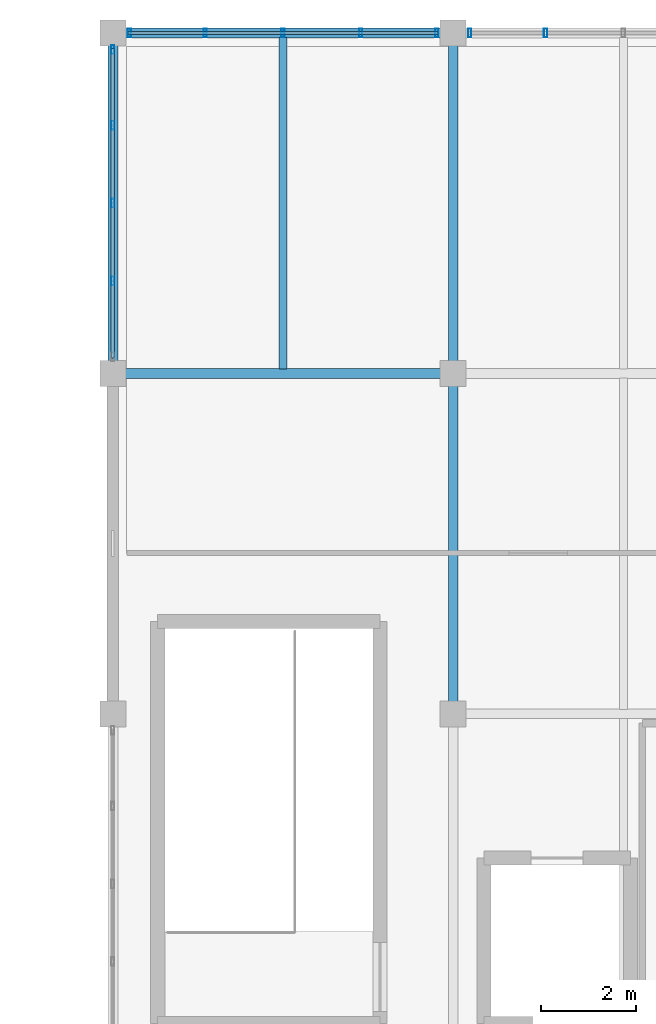
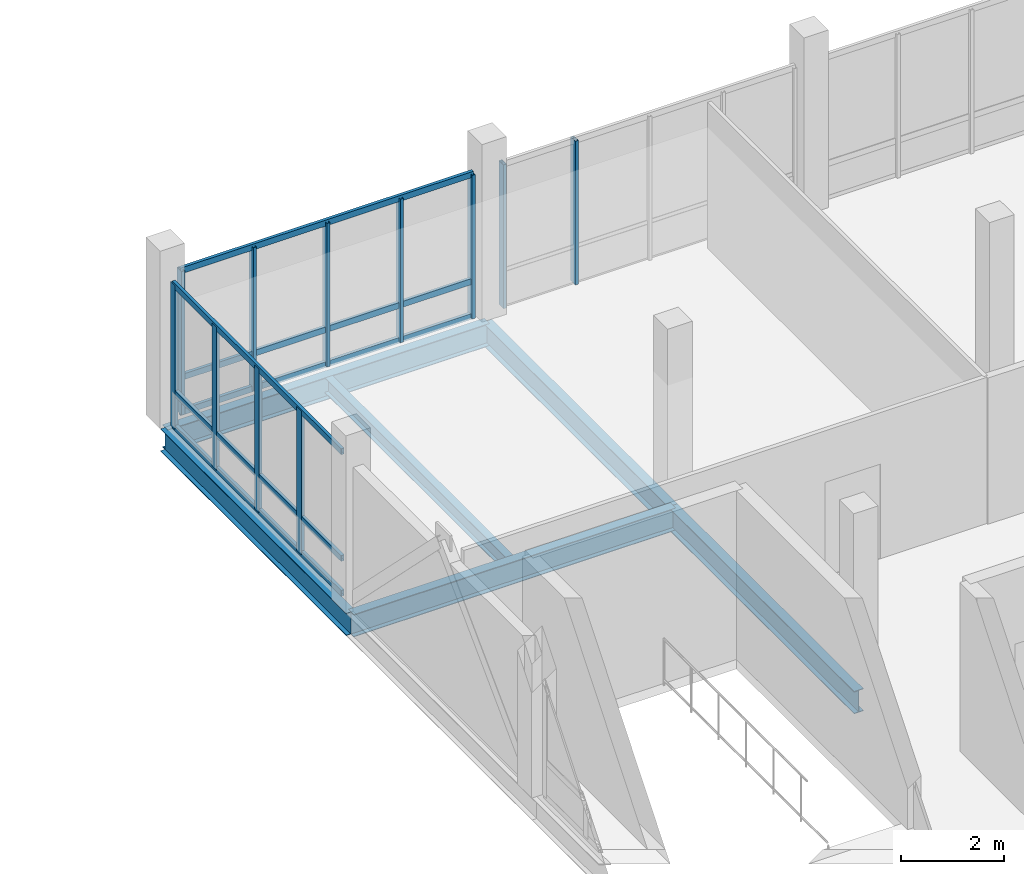
# One storey, part 9 of 28: 17 members, 6 beams, 3 elements without a shape of their own.
"""IFC4 building model written with IfcOpenShell, lengths in metres."""

from ifc_helpers import new_model, si_unit, direction, frame, origin, origin_2d, place, context, subcontext, project, spatial, hollow_rectangle, i_section, extrude, material, material_profile, profile_set, type_object, element, aggregate, save


model = new_model("IFC4")

# Units and contexts
model_context = context("Model", 3, precision=1e-05, world=origin(), true_north=direction((0.0, 1.0)))
body_context = subcontext(model_context, "Body", "Model", "MODEL_VIEW")
ifc_project = project(units=[si_unit("LENGTHUNIT", "METRE"), si_unit("AREAUNIT", "SQUARE_METRE"), si_unit("VOLUMEUNIT", "CUBIC_METRE"), si_unit("PLANEANGLEUNIT", "RADIAN"), si_unit("MASSUNIT", "GRAM", prefix="KILO")], contexts=[model_context])

# Site, building, storey
site_placement = place(None, origin())
site = spatial("IfcSite", under=ifc_project, at=site_placement, CompositionType="ELEMENT")
building_placement = place(site_placement, origin())
building = spatial("IfcBuilding", under=site, at=building_placement, Name="Yarey Park Central Fire Station", CompositionType="ELEMENT")
storey_placement = place(building_placement, frame((0.0, 0.0, 22.199951171875)))
storey = spatial("IfcBuildingStorey", under=building, at=storey_placement, Name="L06", CompositionType="ELEMENT", Elevation=22.199951171875)

# Curtain wall, members
ifc_material_1 = material(Name="Anodized Aluminium Frame", Category="aluminium")
curtain_wall_type = type_object("IfcCurtainWallType", Name="ENV_CW_HQ_L06", PredefinedType="NOTDEFINED", material=ifc_material_1)
curtain_wall_1_placement = place(storey_placement, origin())
curtain_wall_1 = element("IfcCurtainWall", 1, at=curtain_wall_1_placement, inside=storey, type_object=curtain_wall_type, Name="CW_L06_V4_N_1", PredefinedType="NOTDEFINED")
ifc_material_profile_1 = material_profile(ifc_material_1, hollow_rectangle(XDim=0.070068359375, YDim=0.179931640625, WallThickness=0.00390625, at=origin_2d()), Name="ALU 180x70x4")
ifc_profile_set_1 = profile_set([ifc_material_profile_1], Name="Anodized Aluminium Frame")
member_type_1 = type_object("IfcMemberType", Name="ENV_CW_MULLION", PredefinedType="MULLION", material=ifc_profile_set_1)
member_1_placement = place(storey_placement, frame((122.050048828125, 115.199951171875, 0.0), z_axis=(0.0, 0.0, 1.0), x_axis=(1.0, 0.0, 0.0)))
member_1 = element("IfcMember", 2, at=member_1_placement, type_object=member_type_1, Name="CW_L06_V4_N_1_MUL1", PredefinedType="MULLION", context=body_context, shape_type="SweptSolid", body=[
    extrude(hollow_rectangle(XDim=0.070068359375, YDim=0.179931640625, WallThickness=0.00390625, at=origin_2d()), origin(), (0.0, 0.0, 1.0), 3.400146484375),
])
member_2_placement = place(storey_placement, frame((120.445068359375, 115.199951171875, 0.0), z_axis=(0.0, 0.0, 1.0), x_axis=(1.0, 0.0, 0.0)))
member_2 = element("IfcMember", 3, at=member_2_placement, type_object=member_type_1, Name="CW_L06_V4_N_1_MUL2", PredefinedType="MULLION", context=body_context, shape_type="SweptSolid", body=[
    extrude(hollow_rectangle(XDim=0.070068359375, YDim=0.179931640625, WallThickness=0.00390625, at=origin_2d()), origin(), (0.0, 0.0, 1.0), 3.400146484375),
])
member_3_placement = place(storey_placement, frame((118.800048828125, 115.199951171875, 0.0), z_axis=(0.0, 0.0, 1.0), x_axis=(1.0, 0.0, 0.0)))
member_3 = element("IfcMember", 4, at=member_3_placement, type_object=member_type_1, Name="CW_L06_V4_N_1_MUL3", PredefinedType="MULLION", context=body_context, shape_type="SweptSolid", body=[
    extrude(hollow_rectangle(XDim=0.070068359375, YDim=0.179931640625, WallThickness=0.00390625, at=origin_2d()), origin(), (0.0, 0.0, 1.0), 3.400146484375),
])
member_4_placement = place(storey_placement, frame((117.155029296875, 115.199951171875, 0.0), z_axis=(0.0, 0.0, 1.0), x_axis=(1.0, 0.0, 0.0)))
member_4 = element("IfcMember", 5, at=member_4_placement, type_object=member_type_1, Name="CW_L06_V4_N_1_MUL4", PredefinedType="MULLION", context=body_context, shape_type="SweptSolid", body=[
    extrude(hollow_rectangle(XDim=0.070068359375, YDim=0.179931640625, WallThickness=0.00390625, at=origin_2d()), origin(), (0.0, 0.0, 1.0), 3.400146484375),
])
member_5_placement = place(storey_placement, frame((115.550048828125, 115.199951171875, 0.0), z_axis=(0.0, 0.0, 1.0), x_axis=(1.0, 0.0, 0.0)))
member_5 = element("IfcMember", 6, at=member_5_placement, type_object=member_type_1, Name="CW_L06_V4_N_1_MUL5", PredefinedType="MULLION", context=body_context, shape_type="SweptSolid", body=[
    extrude(hollow_rectangle(XDim=0.070068359375, YDim=0.179931640625, WallThickness=0.00390625, at=origin_2d()), origin(), (0.0, 0.0, 1.0), 3.400146484375),
])

curtain_wall_2_placement = place(storey_placement, origin())
curtain_wall_2 = element("IfcCurtainWall", 7, at=curtain_wall_2_placement, inside=storey, type_object=curtain_wall_type, Name="CW_L06_V4_N_2", PredefinedType="NOTDEFINED")
member_6_placement = place(storey_placement, frame((124.35498046875, 115.199951171875, 0.0), z_axis=(0.0, 0.0, 1.0), x_axis=(1.0, 0.0, 0.0)))
member_6 = element("IfcMember", 8, at=member_6_placement, type_object=member_type_1, Name="CW_L06_V4_N_2_MUL4", PredefinedType="MULLION", context=body_context, shape_type="SweptSolid", body=[
    extrude(hollow_rectangle(XDim=0.070068359375, YDim=0.179931640625, WallThickness=0.00390625, at=origin_2d()), origin(), (0.0, 0.0, 1.0), 3.400146484375),
])
member_7_placement = place(storey_placement, frame((122.75, 115.199951171875, 0.0), z_axis=(0.0, 0.0, 1.0), x_axis=(1.0, 0.0, 0.0)))
member_7 = element("IfcMember", 9, at=member_7_placement, type_object=member_type_1, Name="CW_L06_V4_N_2_MUL5", PredefinedType="MULLION", context=body_context, shape_type="SweptSolid", body=[
    extrude(hollow_rectangle(XDim=0.070068359375, YDim=0.179931640625, WallThickness=0.00390625, at=origin_2d()), origin(), (0.0, 0.0, 1.0), 3.400146484375),
])
aggregate(curtain_wall_2, [member_6, member_7])

curtain_wall_3_placement = place(storey_placement, origin())
curtain_wall_3 = element("IfcCurtainWall", 10, at=curtain_wall_3_placement, inside=storey, type_object=curtain_wall_type, Name="CW_L06_V4_W_108", PredefinedType="NOTDEFINED")
member_8_placement = place(storey_placement, frame((115.199951171875, 114.85009765625, 0.0), z_axis=(0.0, 0.0, 1.0), x_axis=(1.0, 0.0, 0.0)))
member_8 = element("IfcMember", 11, at=member_8_placement, type_object=member_type_1, Name="CW_L06_V4_W_108_MUL1", PredefinedType="MULLION", context=body_context, shape_type="SweptSolid", body=[
    extrude(hollow_rectangle(XDim=0.070068359375, YDim=0.179931640625, WallThickness=0.00390625, at=origin_2d()), origin(), (0.0, 0.0, 1.0), 3.400146484375),
])
member_9_placement = place(storey_placement, frame((115.199951171875, 113.2451171875, 0.0), z_axis=(0.0, 0.0, 1.0), x_axis=(1.0, 0.0, 0.0)))
member_9 = element("IfcMember", 12, at=member_9_placement, type_object=member_type_1, Name="CW_L06_V4_W_108_MUL2", PredefinedType="MULLION", context=body_context, shape_type="SweptSolid", body=[
    extrude(hollow_rectangle(XDim=0.070068359375, YDim=0.179931640625, WallThickness=0.00390625, at=origin_2d()), origin(), (0.0, 0.0, 1.0), 3.400146484375),
])
member_10_placement = place(storey_placement, frame((115.199951171875, 111.60009765625, 0.0), z_axis=(0.0, 0.0, 1.0), x_axis=(1.0, 0.0, 0.0)))
member_10 = element("IfcMember", 13, at=member_10_placement, type_object=member_type_1, Name="CW_L06_V4_W_108_MUL3", PredefinedType="MULLION", context=body_context, shape_type="SweptSolid", body=[
    extrude(hollow_rectangle(XDim=0.070068359375, YDim=0.179931640625, WallThickness=0.00390625, at=origin_2d()), origin(), (0.0, 0.0, 1.0), 3.400146484375),
])
member_11_placement = place(storey_placement, frame((115.199951171875, 109.955078125, 0.0), z_axis=(0.0, 0.0, 1.0), x_axis=(1.0, 0.0, 0.0)))
member_11 = element("IfcMember", 14, at=member_11_placement, type_object=member_type_1, Name="CW_L06_V4_W_108_MUL4", PredefinedType="MULLION", context=body_context, shape_type="SweptSolid", body=[
    extrude(hollow_rectangle(XDim=0.070068359375, YDim=0.179931640625, WallThickness=0.00390625, at=origin_2d()), origin(), (0.0, 0.0, 1.0), 3.400146484375),
])

# Member
ifc_material_profile_2 = material_profile(ifc_material_1, hollow_rectangle(XDim=0.070068359375, YDim=0.139892578125, WallThickness=0.00390625, at=origin_2d()), Name="ALU 140x70x4")
ifc_profile_set_2 = profile_set([ifc_material_profile_2], Name="Anodized Aluminium Frame")
member_type_2 = type_object("IfcMemberType", Name="ENV_CW_TRANSOM", PredefinedType="USERDEFINED", material=ifc_profile_set_2)
member_12_placement = place(storey_placement, frame((122.074951171875, 115.199951171875, 0.025146484375), z_axis=(-1.0, 0.0, 0.0), x_axis=(0.0, -1.0, 0.0)))
member_12 = element("IfcMember", 15, at=member_12_placement, type_object=member_type_2, Name="CW_L06_V4_N_1_TRN1", ObjectType="TRANSOM", PredefinedType="USERDEFINED", context=body_context, shape_type="SweptSolid", body=[
    extrude(hollow_rectangle(XDim=0.070068359375, YDim=0.139892578125, WallThickness=0.00390625, at=origin_2d()), origin(), (0.0, 0.0, 1.0), 6.550048828125),
])

member_13_placement = place(storey_placement, frame((122.074951171875, 115.199951171875, 0.85009765625), z_axis=(-1.0, 0.0, 0.0), x_axis=(0.0, -1.0, 0.0)))
member_13 = element("IfcMember", 16, at=member_13_placement, type_object=member_type_2, Name="CW_L06_V4_N_1_TRN2", ObjectType="TRANSOM", PredefinedType="USERDEFINED", context=body_context, shape_type="SweptSolid", body=[
    extrude(hollow_rectangle(XDim=0.070068359375, YDim=0.139892578125, WallThickness=0.00390625, at=origin_2d()), origin(), (0.0, 0.0, 1.0), 6.550048828125),
])

member_14_placement = place(storey_placement, frame((122.074951171875, 115.199951171875, 3.375), z_axis=(-1.0, 0.0, 0.0), x_axis=(0.0, -1.0, 0.0)))
member_14 = element("IfcMember", 17, at=member_14_placement, type_object=member_type_2, Name="CW_L06_V4_N_1_TRN3", ObjectType="TRANSOM", PredefinedType="USERDEFINED", context=body_context, shape_type="SweptSolid", body=[
    extrude(hollow_rectangle(XDim=0.070068359375, YDim=0.139892578125, WallThickness=0.00390625, at=origin_2d()), origin(), (0.0, 0.0, 1.0), 6.550048828125),
])

aggregate(curtain_wall_1, [member_1, member_2, member_3, member_4, member_5, member_12, member_13, member_14])

member_15_placement = place(storey_placement, frame((115.199951171875, 114.875, 0.025146484375), z_axis=(0.0, -1.0, 0.0), x_axis=(1.0, 0.0, 0.0)))
member_15 = element("IfcMember", 18, at=member_15_placement, type_object=member_type_2, Name="CW_L06_V4_W_108_TRN1", ObjectType="TRANSOM", PredefinedType="USERDEFINED", context=body_context, shape_type="SweptSolid", body=[
    extrude(hollow_rectangle(XDim=0.070068359375, YDim=0.139892578125, WallThickness=0.00390625, at=origin_2d()), origin(), (0.0, 0.0, 1.0), 6.550048828125),
])

member_16_placement = place(storey_placement, frame((115.199951171875, 114.875, 0.85009765625), z_axis=(0.0, -1.0, 0.0), x_axis=(1.0, 0.0, 0.0)))
member_16 = element("IfcMember", 19, at=member_16_placement, type_object=member_type_2, Name="CW_L06_V4_W_108_TRN2", ObjectType="TRANSOM", PredefinedType="USERDEFINED", context=body_context, shape_type="SweptSolid", body=[
    extrude(hollow_rectangle(XDim=0.070068359375, YDim=0.139892578125, WallThickness=0.00390625, at=origin_2d()), origin(), (0.0, 0.0, 1.0), 6.550048828125),
])

member_17_placement = place(storey_placement, frame((115.199951171875, 114.875, 3.375), z_axis=(0.0, -1.0, 0.0), x_axis=(1.0, 0.0, 0.0)))
member_17 = element("IfcMember", 20, at=member_17_placement, type_object=member_type_2, Name="CW_L06_V4_W_108_TRN3", ObjectType="TRANSOM", PredefinedType="USERDEFINED", context=body_context, shape_type="SweptSolid", body=[
    extrude(hollow_rectangle(XDim=0.070068359375, YDim=0.139892578125, WallThickness=0.00390625, at=origin_2d()), origin(), (0.0, 0.0, 1.0), 6.550048828125),
])

aggregate(curtain_wall_3, [member_8, member_9, member_10, member_11, member_15, member_16, member_17])

# Beams
ifc_material_2 = material(Name="Steel ASTM A992 Gr. 50", Category="steel")
ifc_material_profile_3 = material_profile(ifc_material_2, i_section(OverallWidth=0.208984375, OverallDepth=0.532958984375, WebThickness=0.01025390625, FlangeThickness=0.015625, at=origin_2d()), Name="W530x92")
ifc_profile_set_3 = profile_set([ifc_material_profile_3], Name="Steel ASTM A992 Gr. 50")
beam_type_1 = type_object("IfcBeamType", Name="STR_BM_W530", PredefinedType="BEAM", material=ifc_profile_set_3)
for number, where, z_axis, x_axis, name in (
    (21, (115.199951171875, 108.0, -0.491455078125), (1.0, 0.0, 0.0), (0.0, 1.0, 0.0), "BMX L06 Y1080 X1152"),
    (22, (115.199951171875, 115.199951171875, -0.491455078125), (1.0, 0.0, 0.0), (0.0, 1.0, 0.0), "BMX L06 Y1152 X1152"),
    (23, (115.199951171875, 108.0, -0.491455078125), (0.0, 1.0, 0.0), (-1.0, 0.0, 0.0), "BMY L06 X1152 Y1080"),
    (24, (122.39990234375, 100.800048828125, -0.491455078125), (0.0, 1.0, 0.0), (-1.0, 0.0, 0.0), "BMY L06 X1224 Y1008"),
    (25, (122.39990234375, 108.0, -0.491455078125), (0.0, 1.0, 0.0), (-1.0, 0.0, 0.0), "BMY L06 X1224 Y1080"),
):
    element("IfcBeam", number, at=place(storey_placement, frame(where, z_axis=z_axis, x_axis=x_axis)), inside=storey, type_object=beam_type_1, Name=name, PredefinedType="BEAM", context=body_context, shape_type="SweptSolid", body=[
        extrude(i_section(OverallWidth=0.208984375, OverallDepth=0.532958984375, WebThickness=0.01025390625, FlangeThickness=0.015625, at=origin_2d()), origin(), (0.0, 0.0, 1.0), 7.199951171875),
    ])
ifc_material_profile_4 = material_profile(ifc_material_2, i_section(OverallWidth=0.172119140625, OverallDepth=0.35791015625, WebThickness=0.0078125, FlangeThickness=0.01318359375, at=origin_2d()), Name="W360x57")
ifc_profile_set_4 = profile_set([ifc_material_profile_4], Name="Steel ASTM A992 Gr. 50")
beam_type_2 = type_object("IfcBeamType", Name="STR_JST_W360", PredefinedType="JOIST", material=ifc_profile_set_4)
beam_placement = place(storey_placement, frame((118.800048828125, 108.094970703125, -0.404052734375), z_axis=(0.0, 1.0, 0.0), x_axis=(-1.0, 0.0, 0.0)))
element("IfcBeam", 26, at=beam_placement, inside=storey, type_object=beam_type_2, Name="JST L06 X1188 Y1080", PredefinedType="JOIST", context=body_context, shape_type="SweptSolid", body=[
    extrude(i_section(OverallWidth=0.172119140625, OverallDepth=0.35791015625, WebThickness=0.0078125, FlangeThickness=0.01318359375, at=origin_2d()), origin(), (0.0, 0.0, 1.0), 7.010009765625),
])

save(model, "model.ifc")
